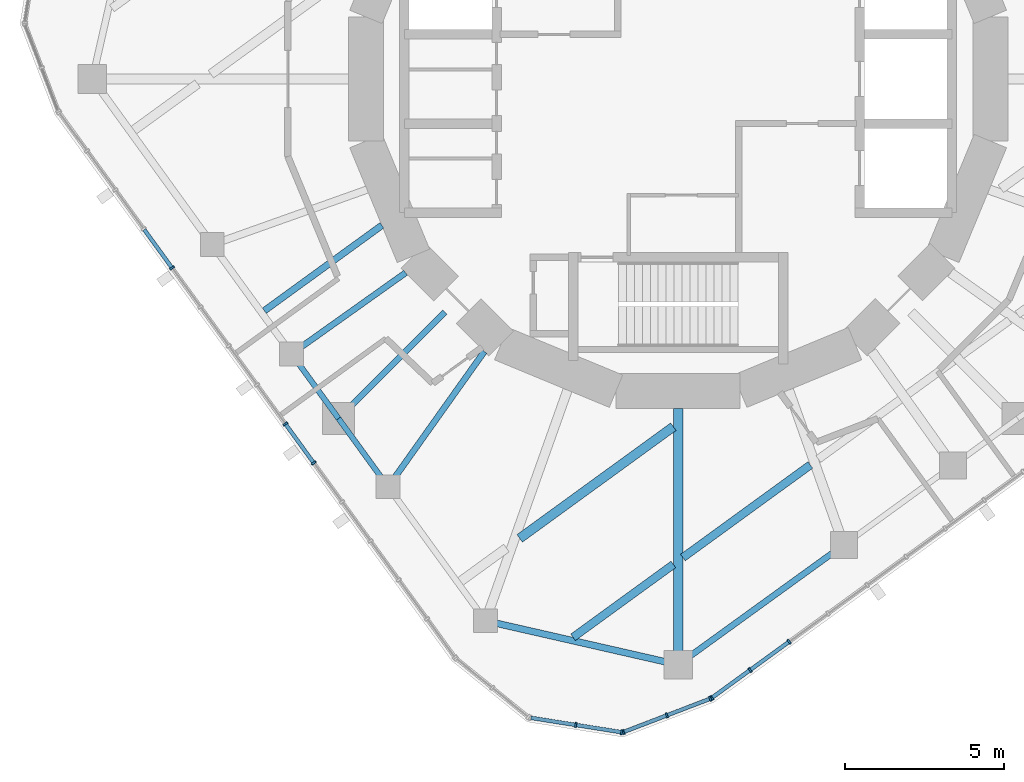
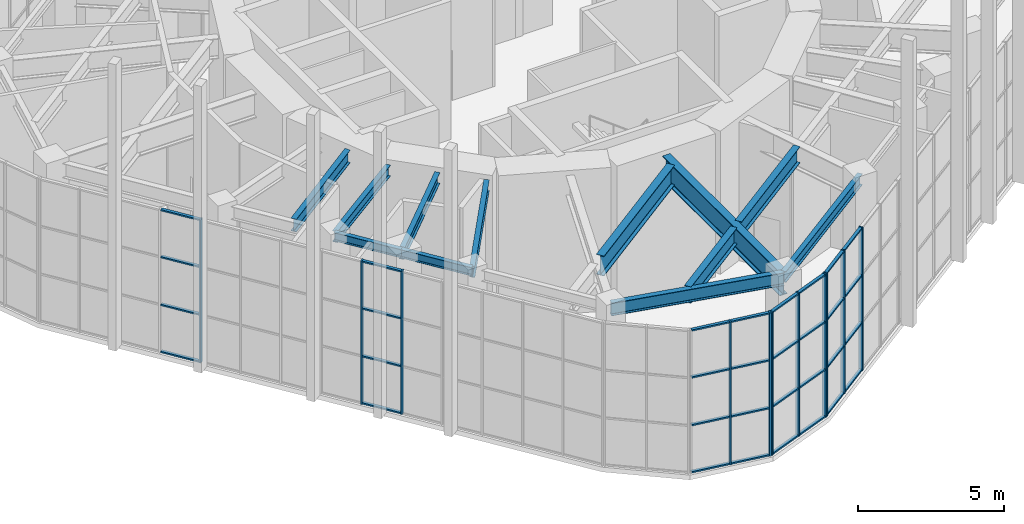
# One storey, part 3 of 17: 43 members, 12 beams, 4 elements without a shape of their own.
"""IFC4 building model written with IfcOpenShell, lengths in metres."""

from ifc_helpers import new_model, si_unit, direction, frame, origin, origin_2d, place, context, subcontext, project, spatial, rectangle, i_section, extrude, material, material_profile, profile_set, type_object, element, aggregate, save


model = new_model("IFC4")

# Units and contexts
model_context = context("Model", 3, precision=1e-05, world=origin(), true_north=direction((0.0, 1.0)))
body_context = subcontext(model_context, "Body", "Model", "MODEL_VIEW")
ifc_project = project(units=[si_unit("LENGTHUNIT", "METRE"), si_unit("AREAUNIT", "SQUARE_METRE"), si_unit("VOLUMEUNIT", "CUBIC_METRE"), si_unit("PLANEANGLEUNIT", "RADIAN"), si_unit("MASSUNIT", "GRAM", prefix="KILO")], contexts=[model_context])

# Site, building, storey
site_placement = place(None, origin())
site = spatial("IfcSite", under=ifc_project, at=site_placement, CompositionType="ELEMENT")
building_placement = place(site_placement, origin())
building = spatial("IfcBuilding", under=site, at=building_placement, Name="Nakasero Lantern House", CompositionType="ELEMENT")
storey_placement = place(building_placement, frame((0.0, 0.0, 298.39990234375)))
storey = spatial("IfcBuildingStorey", under=building, at=storey_placement, Name="L73", CompositionType="ELEMENT", Elevation=298.39990234375)

# Beams
ifc_material_1 = material(Name="Steel S355", Category="steel")
ifc_material_profile_1 = material_profile(ifc_material_1, i_section(OverallWidth=0.2099609375, OverallDepth=0.53662109375, WebThickness=0.0107421875, FlangeThickness=0.017333984375, FilletRadius=0.0126953125, at=origin_2d()), Name="UB 533x210x101")
ifc_profile_set_1 = profile_set([ifc_material_profile_1], Name="Steel S355")
beam_type_1 = type_object("IfcBeamType", Name="Infill beam UB 533x210x101", PredefinedType="JOIST", material=ifc_profile_set_1)
beam_1_placement = place(storey_placement, frame((-12.998046875, -7.280517578125, 5.53173828125), z_axis=(0.809018255439, 0.587783516583, 0.0), x_axis=(-0.587783516583, 0.809018255439, 0.0)))
element("IfcBeam", 1, at=beam_1_placement, inside=storey, type_object=beam_type_1, Name="Infill beam L74 07.1", PredefinedType="JOIST", context=body_context, shape_type="SweptSolid", body=[
    extrude(i_section(OverallWidth=0.2099609375, OverallDepth=0.53662109375, WebThickness=0.0107421875, FlangeThickness=0.017333984375, FilletRadius=0.0126953125, at=origin_2d()), origin(), (0.0, 0.0, 1.0), 4.563232421875),
])
ifc_material_2 = material(Name="Steel S355", Category="steel")
ifc_material_profile_2 = material_profile(ifc_material_2, i_section(OverallWidth=0.253662109375, OverallDepth=0.68359375, WebThickness=0.012451171875, FlangeThickness=0.01904296875, FilletRadius=0.01513671875, at=origin_2d()), Name="UB 686x254x140")
ifc_profile_set_2 = profile_set([ifc_material_profile_2], Name="Steel S355")
beam_type_2 = type_object("IfcBeamType", Name="Infill beam UB 686x254x140", PredefinedType="JOIST", material=ifc_profile_set_2)
beam_2_placement = place(storey_placement, frame((-3.30029296875, -17.539794921875, 5.458251953125), z_axis=(0.808996267662, 0.587813779107, 0.0), x_axis=(-0.587813779107, 0.808996267662, 0.0)))
element("IfcBeam", 2, at=beam_2_placement, inside=storey, type_object=beam_type_2, Name="Infill beam L74 03.1", PredefinedType="JOIST", context=body_context, shape_type="SweptSolid", body=[
    extrude(i_section(OverallWidth=0.253662109375, OverallDepth=0.68359375, WebThickness=0.012451171875, FlangeThickness=0.01904296875, FilletRadius=0.01513671875, at=origin_2d()), origin(), (0.0, 0.0, 1.0), 3.894287109375),
])
beam_3_placement = place(storey_placement, frame((0.14990234375, -15.032958984375, 5.458251953125), z_axis=(0.809000691709, 0.587807690333, 0.0), x_axis=(-0.587807690333, 0.809000691709, 0.0)))
element("IfcBeam", 3, at=beam_3_placement, inside=storey, type_object=beam_type_2, Name="Infill beam L74 03.2", PredefinedType="JOIST", context=body_context, shape_type="SweptSolid", body=[
    extrude(i_section(OverallWidth=0.253662109375, OverallDepth=0.68359375, WebThickness=0.012451171875, FlangeThickness=0.01904296875, FilletRadius=0.01513671875, at=origin_2d()), origin(), (0.0, 0.0, 1.0), 4.94580078125),
])
ifc_material_3 = material(Name="Steel S355", Category="steel")
ifc_material_profile_3 = material_profile(ifc_material_3, i_section(OverallWidth=0.29248046875, OverallDepth=0.8408203125, WebThickness=0.0146484375, FlangeThickness=0.02685546875, FilletRadius=0.017822265625, at=origin_2d()), Name="UB 838x292x194")
ifc_profile_set_3 = profile_set([ifc_material_profile_3], Name="Steel S355")
beam_type_3 = type_object("IfcBeamType", Name="Infill beam UB 838x292x194", PredefinedType="JOIST", material=ifc_profile_set_3)
beam_4_placement = place(storey_placement, frame((-4.975830078125, -14.4306640625, 5.379638671875), z_axis=(0.809028012961, 0.587770086211, 0.0), x_axis=(-0.587770086211, 0.809028012961, 0.0)))
element("IfcBeam", 4, at=beam_4_placement, inside=storey, type_object=beam_type_3, Name="Infill beam L74 04.2", PredefinedType="JOIST", context=body_context, shape_type="SweptSolid", body=[
    extrude(i_section(OverallWidth=0.29248046875, OverallDepth=0.8408203125, WebThickness=0.0146484375, FlangeThickness=0.02685546875, FilletRadius=0.017822265625, at=origin_2d()), origin(), (0.0, 0.0, 1.0), 5.965087890625),
])

# Curtain wall, members
ifc_material_4 = material(Name="Aluminium 6063-T6 and glass", Category="aluminium")
curtain_wall_type = type_object("IfcCurtainWallType", Name="Lantern glazing CW-4", PredefinedType="USERDEFINED", material=ifc_material_4)
curtain_wall_1_placement = place(storey_placement, origin())
curtain_wall_1 = element("IfcCurtainWall", 5, at=curtain_wall_1_placement, inside=storey, type_object=curtain_wall_type, Name="Curtain wall CW-4 L73", ObjectType="UNITISED CURTAIN WALL", PredefinedType="USERDEFINED")
ifc_material_5 = material(Name="Aluminium 6063-T6", Category="aluminium")
ifc_material_profile_4 = material_profile(ifc_material_5, rectangle(XDim=0.06005859375, YDim=0.159912109375, at=origin_2d()), Name="CW-4 mullion 60x160")
ifc_profile_set_4 = profile_set([ifc_material_profile_4], Name="Aluminium 6063-T6")
member_type_1 = type_object("IfcMemberType", Name="Mullion CW-4", PredefinedType="MULLION", material=ifc_profile_set_4)
member_1_placement = place(storey_placement, frame((-15.897705078125, -5.93505859375, 0.0), z_axis=(0.0, 0.0, 1.0), x_axis=(0.587785252292, -0.809016994375, 0.0)))
member_1 = element("IfcMember", 6, at=member_1_placement, type_object=member_type_1, Name="CW-4 mullion 5", PredefinedType="MULLION", context=body_context, shape_type="SweptSolid", body=[
    extrude(rectangle(XDim=0.06005859375, YDim=0.159912109375, at=origin_2d()), origin(), (0.0, 0.0, 1.0), 6.0),
])
member_2_placement = place(storey_placement, frame((-12.33740234375, -10.83544921875, 0.0), z_axis=(0.0, 0.0, 1.0), x_axis=(0.587785252292, -0.809016994375, 0.0)))
member_2 = element("IfcMember", 7, at=member_2_placement, type_object=member_type_1, Name="CW-4 mullion 9", PredefinedType="MULLION", context=body_context, shape_type="SweptSolid", body=[
    extrude(rectangle(XDim=0.06005859375, YDim=0.159912109375, at=origin_2d()), origin(), (0.0, 0.0, 1.0), 6.0),
])
member_3_placement = place(storey_placement, frame((-11.447265625, -12.060546875, 0.0), z_axis=(0.0, 0.0, 1.0), x_axis=(0.587785252292, -0.809016994375, 0.0)))
member_3 = element("IfcMember", 8, at=member_3_placement, type_object=member_type_1, Name="CW-4 mullion 10", PredefinedType="MULLION", context=body_context, shape_type="SweptSolid", body=[
    extrude(rectangle(XDim=0.06005859375, YDim=0.159912109375, at=origin_2d()), origin(), (0.0, 0.0, 1.0), 6.0),
])

curtain_wall_2_placement = place(storey_placement, origin())
curtain_wall_2 = element("IfcCurtainWall", 9, at=curtain_wall_2_placement, inside=storey, type_object=curtain_wall_type, Name="Curtain wall CW-4 L73", ObjectType="UNITISED CURTAIN WALL", PredefinedType="USERDEFINED")
member_4_placement = place(storey_placement, frame((-3.2138671875, -20.291748046875, 0.0), z_axis=(0.0, 0.0, 1.0), x_axis=(0.987688340595, -0.15643446504, 0.0)))
member_4 = element("IfcMember", 10, at=member_4_placement, type_object=member_type_1, Name="CW-4 mullion 2", PredefinedType="MULLION", context=body_context, shape_type="SweptSolid", body=[
    extrude(rectangle(XDim=0.06005859375, YDim=0.159912109375, at=origin_2d()), origin(), (0.0, 0.0, 1.0), 6.0),
])
member_5_placement = place(storey_placement, frame((-1.773681640625, -20.52001953125, 0.0), z_axis=(0.0, 0.0, 1.0), x_axis=(0.987688340595, -0.15643446504, 0.0)))
member_5 = element("IfcMember", 11, at=member_5_placement, type_object=member_type_1, Name="CW-4 mullion 3", PredefinedType="MULLION", context=body_context, shape_type="SweptSolid", body=[
    extrude(rectangle(XDim=0.06005859375, YDim=0.159912109375, at=origin_2d()), origin(), (0.0, 0.0, 1.0), 6.0),
])

curtain_wall_3_placement = place(storey_placement, origin())
curtain_wall_3 = element("IfcCurtainWall", 12, at=curtain_wall_3_placement, inside=storey, type_object=curtain_wall_type, Name="Curtain wall CW-4 L73", ObjectType="UNITISED CURTAIN WALL", PredefinedType="USERDEFINED")
member_6_placement = place(storey_placement, frame((-1.716064453125, -20.513916015625, 0.0), z_axis=(0.0, 0.0, 1.0), x_axis=(0.933580426497, 0.358367949545, 0.0)))
member_6 = element("IfcMember", 13, at=member_6_placement, type_object=member_type_1, Name="CW-4 mullion 1", PredefinedType="MULLION", context=body_context, shape_type="SweptSolid", body=[
    extrude(rectangle(XDim=0.06005859375, YDim=0.159912109375, at=origin_2d()), origin(), (0.0, 0.0, 1.0), 6.0),
])
member_7_placement = place(storey_placement, frame((-0.354736328125, -19.9912109375, 0.0), z_axis=(0.0, 0.0, 1.0), x_axis=(0.933580426497, 0.358367949545, 0.0)))
member_7 = element("IfcMember", 14, at=member_7_placement, type_object=member_type_1, Name="CW-4 mullion 2", PredefinedType="MULLION", context=body_context, shape_type="SweptSolid", body=[
    extrude(rectangle(XDim=0.06005859375, YDim=0.159912109375, at=origin_2d()), origin(), (0.0, 0.0, 1.0), 6.0),
])
member_8_placement = place(storey_placement, frame((1.006591796875, -19.46875, 0.0), z_axis=(0.0, 0.0, 1.0), x_axis=(0.933580426497, 0.358367949545, 0.0)))
member_8 = element("IfcMember", 15, at=member_8_placement, type_object=member_type_1, Name="CW-4 mullion 3", PredefinedType="MULLION", context=body_context, shape_type="SweptSolid", body=[
    extrude(rectangle(XDim=0.06005859375, YDim=0.159912109375, at=origin_2d()), origin(), (0.0, 0.0, 1.0), 6.0),
])

curtain_wall_4_placement = place(storey_placement, origin())
curtain_wall_4 = element("IfcCurtainWall", 16, at=curtain_wall_4_placement, inside=storey, type_object=curtain_wall_type, Name="Curtain wall CW-4 L73", ObjectType="UNITISED CURTAIN WALL", PredefinedType="USERDEFINED")
member_9_placement = place(storey_placement, frame((1.05908203125, -19.4404296875, 0.0), z_axis=(0.0, 0.0, 1.0), x_axis=(0.809016994375, 0.587785252292, 0.0)))
member_9 = element("IfcMember", 17, at=member_9_placement, type_object=member_type_1, Name="CW-4 mullion 1", PredefinedType="MULLION", context=body_context, shape_type="SweptSolid", body=[
    extrude(rectangle(XDim=0.06005859375, YDim=0.159912109375, at=origin_2d()), origin(), (0.0, 0.0, 1.0), 6.0),
])
member_10_placement = place(storey_placement, frame((2.259765625, -18.56787109375, 0.0), z_axis=(0.0, 0.0, 1.0), x_axis=(0.809016994375, 0.587785252292, 0.0)))
member_10 = element("IfcMember", 18, at=member_10_placement, type_object=member_type_1, Name="CW-4 mullion 2", PredefinedType="MULLION", context=body_context, shape_type="SweptSolid", body=[
    extrude(rectangle(XDim=0.06005859375, YDim=0.159912109375, at=origin_2d()), origin(), (0.0, 0.0, 1.0), 6.0),
])
member_11_placement = place(storey_placement, frame((3.48486328125, -17.677734375, 0.0), z_axis=(0.0, 0.0, 1.0), x_axis=(0.809016994375, 0.587785252292, 0.0)))
member_11 = element("IfcMember", 19, at=member_11_placement, type_object=member_type_1, Name="CW-4 mullion 3", PredefinedType="MULLION", context=body_context, shape_type="SweptSolid", body=[
    extrude(rectangle(XDim=0.06005859375, YDim=0.159912109375, at=origin_2d()), origin(), (0.0, 0.0, 1.0), 6.0),
])

# Beams
ifc_material_6 = material(Name="Steel S355", Category="steel")
ifc_material_profile_5 = material_profile(ifc_material_6, i_section(OverallWidth=0.300048828125, OverallDepth=1.0, WebThickness=0.01904296875, FlangeThickness=0.035888671875, FilletRadius=0.030029296875, at=origin_2d()), Name="UB 1016x305x314")
ifc_profile_set_5 = profile_set([ifc_material_profile_5], Name="Steel S355")
beam_type_4 = type_object("IfcBeamType", Name="Primary beam UB 1016x305x314, span 6 to 9 m", PredefinedType="BEAM", material=ifc_profile_set_5)
beam_5_placement = place(storey_placement, frame((0.0, -18.39990234375, 5.300048828125), z_axis=(0.0, 1.0, 0.0), x_axis=(-1.0, 0.0, 0.0)))
element("IfcBeam", 20, at=beam_5_placement, inside=storey, type_object=beam_type_4, Name="Primary beam L74 B7-C21", PredefinedType="BEAM", context=body_context, shape_type="SweptSolid", body=[
    extrude(i_section(OverallWidth=0.300048828125, OverallDepth=1.0, WebThickness=0.01904296875, FlangeThickness=0.035888671875, FilletRadius=0.030029296875, at=origin_2d()), origin(), (0.0, 0.0, 1.0), 8.0419921875),
])
ifc_material_7 = material(Name="Steel S355", Category="steel")
ifc_material_profile_6 = material_profile(ifc_material_7, i_section(OverallWidth=0.19140625, OverallDepth=0.4599609375, WebThickness=0.010009765625, FlangeThickness=0.01611328125, FilletRadius=0.01025390625, at=origin_2d()), Name="UB 457x191x82")
ifc_profile_set_6 = profile_set([ifc_material_profile_6], Name="Steel S355")
beam_type_5 = type_object("IfcBeamType", Name="Primary beam UB 457x191x82, span to 6 m", PredefinedType="BEAM", material=ifc_profile_set_6)
beam_6_placement = place(storey_placement, frame((-12.1435546875, -8.63525390625, 5.570068359375), z_axis=(0.814988544116, 0.579477068537, 0.0), x_axis=(-0.579477068537, 0.814988544116, 0.0)))
element("IfcBeam", 21, at=beam_6_placement, inside=storey, type_object=beam_type_5, Name="Primary beam L74 B7-C17", PredefinedType="BEAM", context=body_context, shape_type="SweptSolid", body=[
    extrude(i_section(OverallWidth=0.19140625, OverallDepth=0.4599609375, WebThickness=0.010009765625, FlangeThickness=0.01611328125, FilletRadius=0.01025390625, at=origin_2d()), origin(), (0.0, 0.0, 1.0), 4.396484375),
])
beam_7_placement = place(storey_placement, frame((-10.667236328125, -10.667236328125, 5.570068359375), z_axis=(0.707106781187, 0.707106781187, 0.0), x_axis=(-0.707106781187, 0.707106781187, 0.0)))
element("IfcBeam", 22, at=beam_7_placement, inside=storey, type_object=beam_type_5, Name="Primary beam L74 B7-C18", PredefinedType="BEAM", context=body_context, shape_type="SweptSolid", body=[
    extrude(i_section(OverallWidth=0.19140625, OverallDepth=0.4599609375, WebThickness=0.010009765625, FlangeThickness=0.01611328125, FilletRadius=0.01025390625, at=origin_2d()), origin(), (0.0, 0.0, 1.0), 4.727783203125),
])
beam_8_placement = place(storey_placement, frame((-9.10986328125, -12.810791015625, 5.570068359375), z_axis=(0.579500985986, 0.814971537688, 0.0), x_axis=(-0.814971537688, 0.579500985986, 0.0)))
element("IfcBeam", 23, at=beam_8_placement, inside=storey, type_object=beam_type_5, Name="Primary beam L74 B7-C19", PredefinedType="BEAM", context=body_context, shape_type="SweptSolid", body=[
    extrude(i_section(OverallWidth=0.19140625, OverallDepth=0.4599609375, WebThickness=0.010009765625, FlangeThickness=0.01611328125, FilletRadius=0.01025390625, at=origin_2d()), origin(), (0.0, 0.0, 1.0), 5.215087890625),
])
ifc_material_8 = material(Name="Steel S355", Category="steel")
ifc_material_profile_7 = material_profile(ifc_material_8, i_section(OverallWidth=0.17138671875, OverallDepth=0.35498046875, WebThickness=0.00732421875, FlangeThickness=0.011474609375, FilletRadius=0.01025390625, at=origin_2d()), Name="UB 356x171x51")
ifc_profile_set_7 = profile_set([ifc_material_profile_7], Name="Steel S355")
beam_type_6 = type_object("IfcBeamType", Name="Ring beam UB 356x171x51", PredefinedType="BEAM", material=ifc_profile_set_7)
beam_9_placement = place(storey_placement, frame((-12.1435546875, -8.63525390625, 5.62255859375), z_axis=(0.58778439593, -0.809017616558, 0.0), x_axis=(0.809017616558, 0.58778439593, 0.0)))
element("IfcBeam", 24, at=beam_9_placement, inside=storey, type_object=beam_type_6, Name="Ring beam L74 B7-C17", PredefinedType="BEAM", context=body_context, shape_type="SweptSolid", body=[
    extrude(i_section(OverallWidth=0.17138671875, OverallDepth=0.35498046875, WebThickness=0.00732421875, FlangeThickness=0.011474609375, FilletRadius=0.01025390625, at=origin_2d()), origin(), (0.0, 0.0, 1.0), 2.51171875),
])
beam_10_placement = place(storey_placement, frame((-10.667236328125, -10.667236328125, 5.62255859375), z_axis=(0.587782635143, -0.809018895839, 0.0), x_axis=(0.809018895839, 0.587782635143, 0.0)))
element("IfcBeam", 25, at=beam_10_placement, inside=storey, type_object=beam_type_6, Name="Ring beam L74 B7-C18", PredefinedType="BEAM", context=body_context, shape_type="SweptSolid", body=[
    extrude(i_section(OverallWidth=0.17138671875, OverallDepth=0.35498046875, WebThickness=0.00732421875, FlangeThickness=0.011474609375, FilletRadius=0.01025390625, at=origin_2d()), origin(), (0.0, 0.0, 1.0), 2.649658203125),
])
ifc_material_9 = material(Name="Steel S355", Category="steel")
ifc_material_profile_8 = material_profile(ifc_material_9, i_section(OverallWidth=0.19140625, OverallDepth=0.4599609375, WebThickness=0.010009765625, FlangeThickness=0.01611328125, FilletRadius=0.01025390625, at=origin_2d()), Name="UB 457x191x82")
ifc_profile_set_8 = profile_set([ifc_material_profile_8], Name="Steel S355")
beam_type_7 = type_object("IfcBeamType", Name="Ring beam UB 457x191x82", PredefinedType="BEAM", material=ifc_profile_set_8)
beam_11_placement = place(storey_placement, frame((0.0, -18.39990234375, 5.570068359375), z_axis=(0.810316200404, 0.58599287996, 0.0), x_axis=(-0.58599287996, 0.810316200404, 0.0)))
element("IfcBeam", 26, at=beam_11_placement, inside=storey, type_object=beam_type_7, Name="Ring beam L74 B7-C21", PredefinedType="BEAM", context=body_context, shape_type="SweptSolid", body=[
    extrude(i_section(OverallWidth=0.19140625, OverallDepth=0.4599609375, WebThickness=0.010009765625, FlangeThickness=0.01611328125, FilletRadius=0.01025390625, at=origin_2d()), origin(), (0.0, 0.0, 1.0), 6.42236328125),
])
ifc_material_10 = material(Name="Steel S355", Category="steel")
ifc_material_profile_9 = material_profile(ifc_material_10, i_section(OverallWidth=0.2099609375, OverallDepth=0.53662109375, WebThickness=0.0107421875, FlangeThickness=0.017333984375, FilletRadius=0.0126953125, at=origin_2d()), Name="UB 533x210x101")
ifc_profile_set_9 = profile_set([ifc_material_profile_9], Name="Steel S355")
beam_type_8 = type_object("IfcBeamType", Name="Ring beam UB 533x210x101", PredefinedType="BEAM", material=ifc_profile_set_9)
beam_12_placement = place(storey_placement, frame((-6.051513671875, -17.02001953125, 5.53173828125), z_axis=(0.974974575944, -0.222316387753, 0.0), x_axis=(0.222316387753, 0.974974575944, 0.0)))
element("IfcBeam", 27, at=beam_12_placement, inside=storey, type_object=beam_type_8, Name="Ring beam L74 B7-C20", PredefinedType="BEAM", context=body_context, shape_type="SweptSolid", body=[
    extrude(i_section(OverallWidth=0.2099609375, OverallDepth=0.53662109375, WebThickness=0.0107421875, FlangeThickness=0.017333984375, FilletRadius=0.0126953125, at=origin_2d()), origin(), (0.0, 0.0, 1.0), 6.206787109375),
])

# Member
ifc_material_11 = material(Name="Aluminium 6063-T6", Category="aluminium")
ifc_material_profile_10 = material_profile(ifc_material_11, rectangle(XDim=0.06005859375, YDim=0.1201171875, at=origin_2d()), Name="CW-4 transom 60x120")
ifc_profile_set_10 = profile_set([ifc_material_profile_10], Name="Aluminium 6063-T6")
member_type_2 = type_object("IfcMemberType", Name="Transom CW-4", PredefinedType="USERDEFINED", material=ifc_profile_set_10)
member_12_placement = place(storey_placement, frame((-16.77001953125, -4.734130859375, 0.030029296875), z_axis=(0.587682523869, -0.809091620979, 0.0), x_axis=(0.0, 0.0, 1.0)))
member_12 = element("IfcMember", 28, at=member_12_placement, type_object=member_type_2, Name="CW-4 transom 4.1", ObjectType="TRANSOM", PredefinedType="USERDEFINED", context=body_context, shape_type="SweptSolid", body=[
    extrude(rectangle(XDim=0.06005859375, YDim=0.1201171875, at=origin_2d()), origin(), (0.0, 0.0, 1.0), 1.454345703125),
])

member_13_placement = place(storey_placement, frame((-16.77001953125, -4.734130859375, 2.0), z_axis=(0.587682523869, -0.809091620979, 0.0), x_axis=(0.0, 0.0, 1.0)))
member_13 = element("IfcMember", 29, at=member_13_placement, type_object=member_type_2, Name="CW-4 transom 4.2", ObjectType="TRANSOM", PredefinedType="USERDEFINED", context=body_context, shape_type="SweptSolid", body=[
    extrude(rectangle(XDim=0.06005859375, YDim=0.1201171875, at=origin_2d()), origin(), (0.0, 0.0, 1.0), 1.454345703125),
])

member_14_placement = place(storey_placement, frame((-16.77001953125, -4.734130859375, 4.0), z_axis=(0.587682523869, -0.809091620979, 0.0), x_axis=(0.0, 0.0, 1.0)))
member_14 = element("IfcMember", 30, at=member_14_placement, type_object=member_type_2, Name="CW-4 transom 4.3", ObjectType="TRANSOM", PredefinedType="USERDEFINED", context=body_context, shape_type="SweptSolid", body=[
    extrude(rectangle(XDim=0.06005859375, YDim=0.1201171875, at=origin_2d()), origin(), (0.0, 0.0, 1.0), 1.454345703125),
])

member_15_placement = place(storey_placement, frame((-16.77001953125, -4.734130859375, 5.97021484375), z_axis=(0.587682523869, -0.809091620979, 0.0), x_axis=(0.0, 0.0, 1.0)))
member_15 = element("IfcMember", 31, at=member_15_placement, type_object=member_type_2, Name="CW-4 transom 4.4", ObjectType="TRANSOM", PredefinedType="USERDEFINED", context=body_context, shape_type="SweptSolid", body=[
    extrude(rectangle(XDim=0.06005859375, YDim=0.1201171875, at=origin_2d()), origin(), (0.0, 0.0, 1.0), 1.454345703125),
])

member_16_placement = place(storey_placement, frame((-12.31982421875, -10.859619140625, 0.030029296875), z_axis=(0.587872217916, -0.808953803009, 0.0), x_axis=(0.0, 0.0, 1.0)))
member_16 = element("IfcMember", 32, at=member_16_placement, type_object=member_type_2, Name="CW-4 transom 9.1", ObjectType="TRANSOM", PredefinedType="USERDEFINED", context=body_context, shape_type="SweptSolid", body=[
    extrude(rectangle(XDim=0.06005859375, YDim=0.1201171875, at=origin_2d()), origin(), (0.0, 0.0, 1.0), 1.454345703125),
])

member_17_placement = place(storey_placement, frame((-12.31982421875, -10.859619140625, 2.0), z_axis=(0.587872217916, -0.808953803009, 0.0), x_axis=(0.0, 0.0, 1.0)))
member_17 = element("IfcMember", 33, at=member_17_placement, type_object=member_type_2, Name="CW-4 transom 9.2", ObjectType="TRANSOM", PredefinedType="USERDEFINED", context=body_context, shape_type="SweptSolid", body=[
    extrude(rectangle(XDim=0.06005859375, YDim=0.1201171875, at=origin_2d()), origin(), (0.0, 0.0, 1.0), 1.454345703125),
])

member_18_placement = place(storey_placement, frame((-12.31982421875, -10.859619140625, 4.0), z_axis=(0.587872217916, -0.808953803009, 0.0), x_axis=(0.0, 0.0, 1.0)))
member_18 = element("IfcMember", 34, at=member_18_placement, type_object=member_type_2, Name="CW-4 transom 9.3", ObjectType="TRANSOM", PredefinedType="USERDEFINED", context=body_context, shape_type="SweptSolid", body=[
    extrude(rectangle(XDim=0.06005859375, YDim=0.1201171875, at=origin_2d()), origin(), (0.0, 0.0, 1.0), 1.454345703125),
])

member_19_placement = place(storey_placement, frame((-12.31982421875, -10.859619140625, 5.97021484375), z_axis=(0.587872217916, -0.808953803009, 0.0), x_axis=(0.0, 0.0, 1.0)))
member_19 = element("IfcMember", 35, at=member_19_placement, type_object=member_type_2, Name="CW-4 transom 9.4", ObjectType="TRANSOM", PredefinedType="USERDEFINED", context=body_context, shape_type="SweptSolid", body=[
    extrude(rectangle(XDim=0.06005859375, YDim=0.1201171875, at=origin_2d()), origin(), (0.0, 0.0, 1.0), 1.454345703125),
])

aggregate(curtain_wall_1, [member_1, member_2, member_3, member_12, member_13, member_14, member_15, member_16, member_17, member_18, member_19])

member_20_placement = place(storey_placement, frame((-4.62451171875, -20.068359375, 0.030029296875), z_axis=(0.987683548127, -0.156464720495, 0.0), x_axis=(0.0, 0.0, 1.0)))
member_20 = element("IfcMember", 36, at=member_20_placement, type_object=member_type_2, Name="CW-4 transom 1.1", ObjectType="TRANSOM", PredefinedType="USERDEFINED", context=body_context, shape_type="SweptSolid", body=[
    extrude(rectangle(XDim=0.06005859375, YDim=0.1201171875, at=origin_2d()), origin(), (0.0, 0.0, 1.0), 1.398193359375),
])

member_21_placement = place(storey_placement, frame((-4.62451171875, -20.068359375, 2.0), z_axis=(0.987683548127, -0.156464720495, 0.0), x_axis=(0.0, 0.0, 1.0)))
member_21 = element("IfcMember", 37, at=member_21_placement, type_object=member_type_2, Name="CW-4 transom 1.2", ObjectType="TRANSOM", PredefinedType="USERDEFINED", context=body_context, shape_type="SweptSolid", body=[
    extrude(rectangle(XDim=0.06005859375, YDim=0.1201171875, at=origin_2d()), origin(), (0.0, 0.0, 1.0), 1.398193359375),
])

member_22_placement = place(storey_placement, frame((-4.62451171875, -20.068359375, 4.0), z_axis=(0.987683548127, -0.156464720495, 0.0), x_axis=(0.0, 0.0, 1.0)))
member_22 = element("IfcMember", 38, at=member_22_placement, type_object=member_type_2, Name="CW-4 transom 1.3", ObjectType="TRANSOM", PredefinedType="USERDEFINED", context=body_context, shape_type="SweptSolid", body=[
    extrude(rectangle(XDim=0.06005859375, YDim=0.1201171875, at=origin_2d()), origin(), (0.0, 0.0, 1.0), 1.398193359375),
])

member_23_placement = place(storey_placement, frame((-4.62451171875, -20.068359375, 5.97021484375), z_axis=(0.987683548127, -0.156464720495, 0.0), x_axis=(0.0, 0.0, 1.0)))
member_23 = element("IfcMember", 39, at=member_23_placement, type_object=member_type_2, Name="CW-4 transom 1.4", ObjectType="TRANSOM", PredefinedType="USERDEFINED", context=body_context, shape_type="SweptSolid", body=[
    extrude(rectangle(XDim=0.06005859375, YDim=0.1201171875, at=origin_2d()), origin(), (0.0, 0.0, 1.0), 1.398193359375),
])

member_24_placement = place(storey_placement, frame((-3.184326171875, -20.29638671875, 0.030029296875), z_axis=(0.987687822072, -0.156437738833, 0.0), x_axis=(0.0, 0.0, 1.0)))
member_24 = element("IfcMember", 40, at=member_24_placement, type_object=member_type_2, Name="CW-4 transom 2.1", ObjectType="TRANSOM", PredefinedType="USERDEFINED", context=body_context, shape_type="SweptSolid", body=[
    extrude(rectangle(XDim=0.06005859375, YDim=0.1201171875, at=origin_2d()), origin(), (0.0, 0.0, 1.0), 1.3984375),
])

member_25_placement = place(storey_placement, frame((-3.184326171875, -20.29638671875, 2.0), z_axis=(0.987687822072, -0.156437738833, 0.0), x_axis=(0.0, 0.0, 1.0)))
member_25 = element("IfcMember", 41, at=member_25_placement, type_object=member_type_2, Name="CW-4 transom 2.2", ObjectType="TRANSOM", PredefinedType="USERDEFINED", context=body_context, shape_type="SweptSolid", body=[
    extrude(rectangle(XDim=0.06005859375, YDim=0.1201171875, at=origin_2d()), origin(), (0.0, 0.0, 1.0), 1.3984375),
])

member_26_placement = place(storey_placement, frame((-3.184326171875, -20.29638671875, 4.0), z_axis=(0.987687822072, -0.156437738833, 0.0), x_axis=(0.0, 0.0, 1.0)))
member_26 = element("IfcMember", 42, at=member_26_placement, type_object=member_type_2, Name="CW-4 transom 2.3", ObjectType="TRANSOM", PredefinedType="USERDEFINED", context=body_context, shape_type="SweptSolid", body=[
    extrude(rectangle(XDim=0.06005859375, YDim=0.1201171875, at=origin_2d()), origin(), (0.0, 0.0, 1.0), 1.3984375),
])

member_27_placement = place(storey_placement, frame((-3.184326171875, -20.29638671875, 5.97021484375), z_axis=(0.987687822072, -0.156437738833, 0.0), x_axis=(0.0, 0.0, 1.0)))
member_27 = element("IfcMember", 43, at=member_27_placement, type_object=member_type_2, Name="CW-4 transom 2.4", ObjectType="TRANSOM", PredefinedType="USERDEFINED", context=body_context, shape_type="SweptSolid", body=[
    extrude(rectangle(XDim=0.06005859375, YDim=0.1201171875, at=origin_2d()), origin(), (0.0, 0.0, 1.0), 1.3984375),
])

aggregate(curtain_wall_2, [member_4, member_5, member_20, member_21, member_22, member_23, member_24, member_25, member_26, member_27])

member_28_placement = place(storey_placement, frame((-1.68798828125, -20.503173828125, 0.030029296875), z_axis=(0.933552443557, 0.358440839092, 0.0), x_axis=(0.0, 0.0, 1.0)))
member_28 = element("IfcMember", 44, at=member_28_placement, type_object=member_type_2, Name="CW-4 transom 1.1", ObjectType="TRANSOM", PredefinedType="USERDEFINED", context=body_context, shape_type="SweptSolid", body=[
    extrude(rectangle(XDim=0.06005859375, YDim=0.1201171875, at=origin_2d()), origin(), (0.0, 0.0, 1.0), 1.3984375),
])

member_29_placement = place(storey_placement, frame((-1.68798828125, -20.503173828125, 2.0), z_axis=(0.933552443557, 0.358440839092, 0.0), x_axis=(0.0, 0.0, 1.0)))
member_29 = element("IfcMember", 45, at=member_29_placement, type_object=member_type_2, Name="CW-4 transom 1.2", ObjectType="TRANSOM", PredefinedType="USERDEFINED", context=body_context, shape_type="SweptSolid", body=[
    extrude(rectangle(XDim=0.06005859375, YDim=0.1201171875, at=origin_2d()), origin(), (0.0, 0.0, 1.0), 1.3984375),
])

member_30_placement = place(storey_placement, frame((-1.68798828125, -20.503173828125, 4.0), z_axis=(0.933552443557, 0.358440839092, 0.0), x_axis=(0.0, 0.0, 1.0)))
member_30 = element("IfcMember", 46, at=member_30_placement, type_object=member_type_2, Name="CW-4 transom 1.3", ObjectType="TRANSOM", PredefinedType="USERDEFINED", context=body_context, shape_type="SweptSolid", body=[
    extrude(rectangle(XDim=0.06005859375, YDim=0.1201171875, at=origin_2d()), origin(), (0.0, 0.0, 1.0), 1.3984375),
])

member_31_placement = place(storey_placement, frame((-1.68798828125, -20.503173828125, 5.97021484375), z_axis=(0.933552443557, 0.358440839092, 0.0), x_axis=(0.0, 0.0, 1.0)))
member_31 = element("IfcMember", 47, at=member_31_placement, type_object=member_type_2, Name="CW-4 transom 1.4", ObjectType="TRANSOM", PredefinedType="USERDEFINED", context=body_context, shape_type="SweptSolid", body=[
    extrude(rectangle(XDim=0.06005859375, YDim=0.1201171875, at=origin_2d()), origin(), (0.0, 0.0, 1.0), 1.3984375),
])

member_32_placement = place(storey_placement, frame((-0.32666015625, -19.98046875, 0.030029296875), z_axis=(0.93361085793, 0.35828866289, 0.0), x_axis=(0.0, 0.0, 1.0)))
member_32 = element("IfcMember", 48, at=member_32_placement, type_object=member_type_2, Name="CW-4 transom 2.1", ObjectType="TRANSOM", PredefinedType="USERDEFINED", context=body_context, shape_type="SweptSolid", body=[
    extrude(rectangle(XDim=0.06005859375, YDim=0.1201171875, at=origin_2d()), origin(), (0.0, 0.0, 1.0), 1.398193359375),
])

member_33_placement = place(storey_placement, frame((-0.32666015625, -19.98046875, 2.0), z_axis=(0.93361085793, 0.35828866289, 0.0), x_axis=(0.0, 0.0, 1.0)))
member_33 = element("IfcMember", 49, at=member_33_placement, type_object=member_type_2, Name="CW-4 transom 2.2", ObjectType="TRANSOM", PredefinedType="USERDEFINED", context=body_context, shape_type="SweptSolid", body=[
    extrude(rectangle(XDim=0.06005859375, YDim=0.1201171875, at=origin_2d()), origin(), (0.0, 0.0, 1.0), 1.398193359375),
])

member_34_placement = place(storey_placement, frame((-0.32666015625, -19.98046875, 4.0), z_axis=(0.93361085793, 0.35828866289, 0.0), x_axis=(0.0, 0.0, 1.0)))
member_34 = element("IfcMember", 50, at=member_34_placement, type_object=member_type_2, Name="CW-4 transom 2.3", ObjectType="TRANSOM", PredefinedType="USERDEFINED", context=body_context, shape_type="SweptSolid", body=[
    extrude(rectangle(XDim=0.06005859375, YDim=0.1201171875, at=origin_2d()), origin(), (0.0, 0.0, 1.0), 1.398193359375),
])

member_35_placement = place(storey_placement, frame((-0.32666015625, -19.98046875, 5.97021484375), z_axis=(0.93361085793, 0.35828866289, 0.0), x_axis=(0.0, 0.0, 1.0)))
member_35 = element("IfcMember", 51, at=member_35_placement, type_object=member_type_2, Name="CW-4 transom 2.4", ObjectType="TRANSOM", PredefinedType="USERDEFINED", context=body_context, shape_type="SweptSolid", body=[
    extrude(rectangle(XDim=0.06005859375, YDim=0.1201171875, at=origin_2d()), origin(), (0.0, 0.0, 1.0), 1.398193359375),
])

aggregate(curtain_wall_3, [member_6, member_7, member_8, member_28, member_29, member_30, member_31, member_32, member_33, member_34, member_35])

member_36_placement = place(storey_placement, frame((1.083251953125, -19.422607421875, 0.030029296875), z_axis=(0.809039875893, 0.587753757296, 0.0), x_axis=(0.0, 0.0, 1.0)))
member_36 = element("IfcMember", 52, at=member_36_placement, type_object=member_type_2, Name="CW-4 transom 1.1", ObjectType="TRANSOM", PredefinedType="USERDEFINED", context=body_context, shape_type="SweptSolid", body=[
    extrude(rectangle(XDim=0.06005859375, YDim=0.1201171875, at=origin_2d()), origin(), (0.0, 0.0, 1.0), 1.42431640625),
])

member_37_placement = place(storey_placement, frame((1.083251953125, -19.422607421875, 2.0), z_axis=(0.809039875893, 0.587753757296, 0.0), x_axis=(0.0, 0.0, 1.0)))
member_37 = element("IfcMember", 53, at=member_37_placement, type_object=member_type_2, Name="CW-4 transom 1.2", ObjectType="TRANSOM", PredefinedType="USERDEFINED", context=body_context, shape_type="SweptSolid", body=[
    extrude(rectangle(XDim=0.06005859375, YDim=0.1201171875, at=origin_2d()), origin(), (0.0, 0.0, 1.0), 1.42431640625),
])

member_38_placement = place(storey_placement, frame((1.083251953125, -19.422607421875, 4.0), z_axis=(0.809039875893, 0.587753757296, 0.0), x_axis=(0.0, 0.0, 1.0)))
member_38 = element("IfcMember", 54, at=member_38_placement, type_object=member_type_2, Name="CW-4 transom 1.3", ObjectType="TRANSOM", PredefinedType="USERDEFINED", context=body_context, shape_type="SweptSolid", body=[
    extrude(rectangle(XDim=0.06005859375, YDim=0.1201171875, at=origin_2d()), origin(), (0.0, 0.0, 1.0), 1.42431640625),
])

member_39_placement = place(storey_placement, frame((1.083251953125, -19.422607421875, 5.97021484375), z_axis=(0.809039875893, 0.587753757296, 0.0), x_axis=(0.0, 0.0, 1.0)))
member_39 = element("IfcMember", 55, at=member_39_placement, type_object=member_type_2, Name="CW-4 transom 1.4", ObjectType="TRANSOM", PredefinedType="USERDEFINED", context=body_context, shape_type="SweptSolid", body=[
    extrude(rectangle(XDim=0.06005859375, YDim=0.1201171875, at=origin_2d()), origin(), (0.0, 0.0, 1.0), 1.42431640625),
])

member_40_placement = place(storey_placement, frame((2.2841796875, -18.55029296875, 0.030029296875), z_axis=(0.809033634773, 0.587762348068, 0.0), x_axis=(0.0, 0.0, 1.0)))
member_40 = element("IfcMember", 56, at=member_40_placement, type_object=member_type_2, Name="CW-4 transom 2.1", ObjectType="TRANSOM", PredefinedType="USERDEFINED", context=body_context, shape_type="SweptSolid", body=[
    extrude(rectangle(XDim=0.06005859375, YDim=0.1201171875, at=origin_2d()), origin(), (0.0, 0.0, 1.0), 1.4541015625),
])

member_41_placement = place(storey_placement, frame((2.2841796875, -18.55029296875, 2.0), z_axis=(0.809033634773, 0.587762348068, 0.0), x_axis=(0.0, 0.0, 1.0)))
member_41 = element("IfcMember", 57, at=member_41_placement, type_object=member_type_2, Name="CW-4 transom 2.2", ObjectType="TRANSOM", PredefinedType="USERDEFINED", context=body_context, shape_type="SweptSolid", body=[
    extrude(rectangle(XDim=0.06005859375, YDim=0.1201171875, at=origin_2d()), origin(), (0.0, 0.0, 1.0), 1.4541015625),
])

member_42_placement = place(storey_placement, frame((2.2841796875, -18.55029296875, 4.0), z_axis=(0.809033634773, 0.587762348068, 0.0), x_axis=(0.0, 0.0, 1.0)))
member_42 = element("IfcMember", 58, at=member_42_placement, type_object=member_type_2, Name="CW-4 transom 2.3", ObjectType="TRANSOM", PredefinedType="USERDEFINED", context=body_context, shape_type="SweptSolid", body=[
    extrude(rectangle(XDim=0.06005859375, YDim=0.1201171875, at=origin_2d()), origin(), (0.0, 0.0, 1.0), 1.4541015625),
])

member_43_placement = place(storey_placement, frame((2.2841796875, -18.55029296875, 5.97021484375), z_axis=(0.809033634773, 0.587762348068, 0.0), x_axis=(0.0, 0.0, 1.0)))
member_43 = element("IfcMember", 59, at=member_43_placement, type_object=member_type_2, Name="CW-4 transom 2.4", ObjectType="TRANSOM", PredefinedType="USERDEFINED", context=body_context, shape_type="SweptSolid", body=[
    extrude(rectangle(XDim=0.06005859375, YDim=0.1201171875, at=origin_2d()), origin(), (0.0, 0.0, 1.0), 1.4541015625),
])

aggregate(curtain_wall_4, [member_9, member_10, member_11, member_36, member_37, member_38, member_39, member_40, member_41, member_42, member_43])

save(model, "model.ifc")
